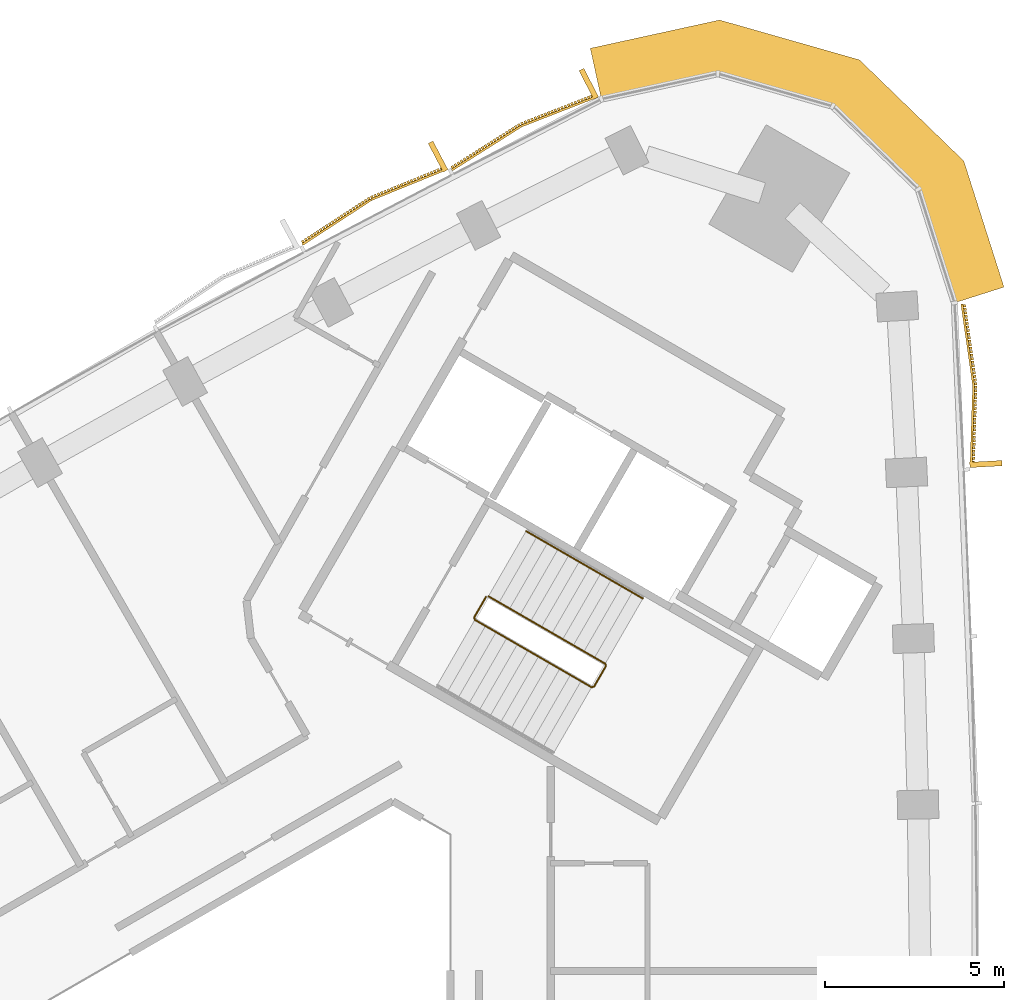
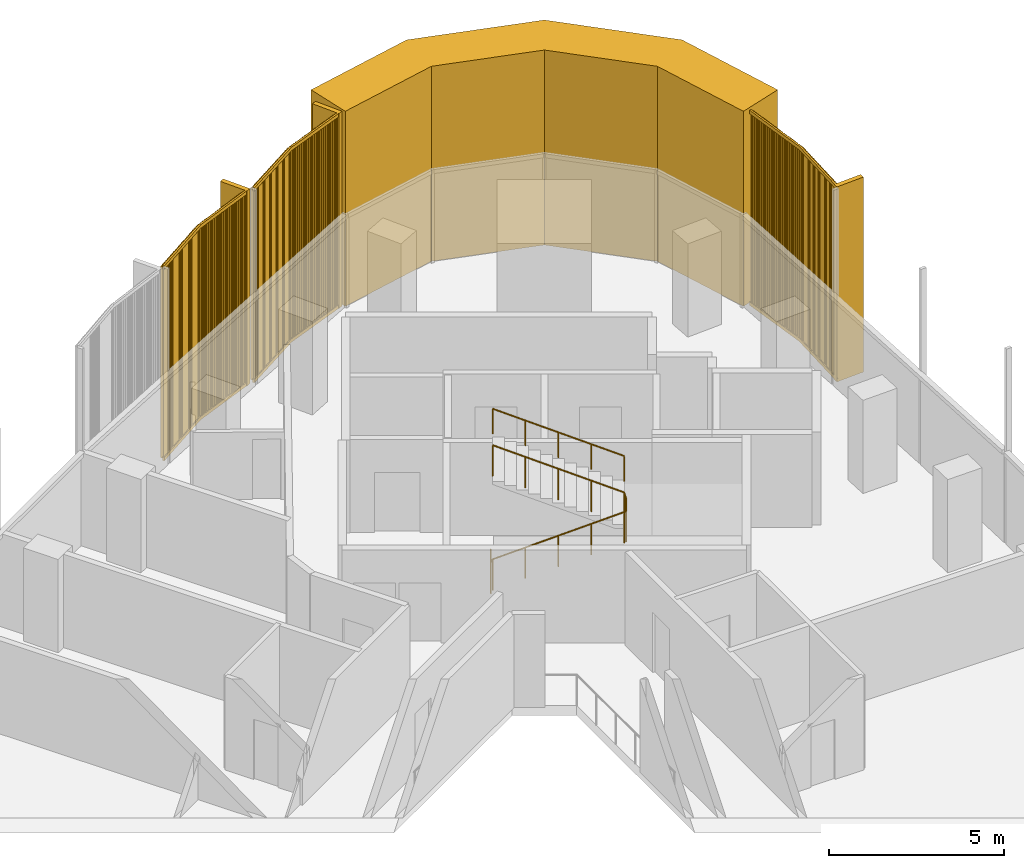
# One storey, part 13 of 13: 4 coverings, 2 railings.
"""IFC4 building model written with IfcOpenShell, lengths in metres."""

from ifc_helpers import new_model, si_unit, direction, frame, frame_2d, origin, origin_2d, place, context, subcontext, project, spatial, polyline, rectangle, circle, outline, extrude, source, transform, mapped, material, layer, layer_set, type_object, element, save


model = new_model("IFC4")

# Units and contexts
model_context = context("Model", 3, precision=1e-05, world=origin(), true_north=direction((0.0, 1.0)))
body_context = subcontext(model_context, "Body", "Model", "MODEL_VIEW")
ifc_project = project(units=[si_unit("LENGTHUNIT", "METRE"), si_unit("AREAUNIT", "SQUARE_METRE"), si_unit("VOLUMEUNIT", "CUBIC_METRE"), si_unit("PLANEANGLEUNIT", "RADIAN"), si_unit("MASSUNIT", "GRAM", prefix="KILO")], contexts=[model_context])

# Site, building, storey
site_placement = place(None, origin())
site = spatial("IfcSite", under=ifc_project, at=site_placement, CompositionType="ELEMENT")
building_placement = place(site_placement, origin())
building = spatial("IfcBuilding", under=site, at=building_placement, Name="Tamra Quay Hotel Tower", CompositionType="ELEMENT")
storey_placement = place(building_placement, frame((0.0, 0.0, 204.39990234375)))
storey = spatial("IfcBuildingStorey", under=building, at=storey_placement, Name="L51", CompositionType="ELEMENT", Elevation=204.39990234375)

# Covering
ifc_material_1 = material(Name="Precast concrete M60 terracotta-coloured", Category="masonry")
ifc_layer = layer(ifc_material_1, 1.449951171875)
ifc_layer_set = layer_set([ifc_layer], Name="CORNER PIER PANEL")
covering_type_1 = type_object("IfcCoveringType", Name="CORNER PIER PANEL", PredefinedType="CLADDING", material=ifc_layer_set)
covering_1_placement = place(storey_placement, origin())
element("IfcCovering", 1, at=covering_1_placement, inside=storey, type_object=covering_type_1, Name="Corner pier L51.east", PredefinedType="CLADDING", context=body_context, shape_type="SweptSolid", body=[
    extrude(outline(polyline([(18.665283203125, 20.955078125), (20.047119140625, 21.39501953125), (18.9267578125, 24.913330078125), (16.013916015625, 27.737060546875), (12.1123046875, 28.84765625), (8.505126953125, 28.058837890625), (8.81494140625, 26.642333984375), (12.06591796875, 27.353271484375), (15.2666015625, 26.4423828125), (17.65576171875, 24.1259765625), (18.665283203125, 20.955078125)])), origin(), (0.0, 0.0, 1.0), 6.800048828125),
])

# Railings
ifc_material_2 = material(Name="Stair guard 1100")
railing_type_1 = type_object("IfcRailingType", Name="Stair guard 1100", PredefinedType="GUARDRAIL", material=ifc_material_2)
railing_1_placement = place(storey_placement, frame((5.595458984375, 12.751953125, 0.0)))
element("IfcRailing", 2, at=railing_1_placement, inside=storey, type_object=railing_type_1, Name="GR", PredefinedType="GUARDRAIL", context=body_context, shape_type="SweptSolid", body=[
    extrude(circle(Radius=0.02392578125, at=origin_2d()), frame((0.0, 0.0, 1.076171875), z_axis=(-0.499765215335, -0.866160914346, 0.0), x_axis=(0.866160914346, -0.499765215335, 0.0)), (0.0, 0.0, 1.0), 0.658935546875),
    extrude(circle(Radius=0.02392578125, at=origin_2d()), frame((-0.329345703125, -0.57080078125, 1.076171875), z_axis=(0.110378772244, -0.410609032747, 0.905105932399), x_axis=(0.965715946433, 0.259601060869, 0.0)), (0.0, 0.0, 1.0), 0.165771484375),
    extrude(circle(Radius=0.02392578125, at=origin_2d()), frame((-0.31103515625, -0.638916015625, 1.22607421875), z_axis=(0.793078462799, -0.457933869594, 0.401650498471), x_axis=(0.500040788363, 0.866001853331, 0.0)), (0.0, 0.0, 1.0), 4.10791015625),
    extrude(circle(Radius=0.02392578125, at=origin_2d()), frame((2.94677734375, -2.52001953125, 2.8759765625), z_axis=(0.965948051503, 0.258736085224, 0.0), x_axis=(-0.258736085224, 0.965948051503, 0.0)), (0.0, 0.0, 1.0), 0.07080078125),
    extrude(circle(Radius=0.02392578125, at=origin_2d()), frame((3.01513671875, -2.501708984375, 2.8759765625), z_axis=(0.500043078269, 0.866000531106, 0.0), x_axis=(-0.866000531106, 0.500043078269, 0.0)), (0.0, 0.0, 1.0), 0.6591796875),
    extrude(circle(Radius=0.02392578125, at=origin_2d()), frame((3.3447265625, -1.930908203125, 2.8759765625), z_axis=(-0.110378772244, 0.410609032747, 0.905105932399), x_axis=(-0.965715946433, -0.259601060869, 0.0)), (0.0, 0.0, 1.0), 0.165771484375),
    extrude(circle(Radius=0.02392578125, at=origin_2d()), frame((3.326416015625, -1.86279296875, 3.0263671875), z_axis=(-0.793100512587, 0.457912285461, 0.401631567183), x_axis=(-0.500012686397, -0.866018079166, 0.0)), (0.0, 0.0, 1.0), 4.10791015625),
    extrude(circle(Radius=0.02099609375, at=origin_2d()), origin(), (0.0, 0.0, 1.0), 1.052001953125),
    extrude(circle(Radius=0.02099609375, at=origin_2d()), frame((-0.329345703125, -0.57080078125, 0.0)), (0.0, 0.0, 1.0), 1.052001953125),
    extrude(circle(Radius=0.02099609375, at=origin_2d()), frame((-0.31103515625, -0.638916015625, 0.150146484375)), (0.0, 0.0, 1.0), 1.052001953125),
    extrude(circle(Radius=0.02099609375, at=origin_2d()), frame((0.50341796875, -1.109130859375, 0.5625)), (0.0, 0.0, 1.0), 1.052001953125),
    extrude(circle(Radius=0.02099609375, at=origin_2d()), frame((1.31787109375, -1.57958984375, 0.97509765625)), (0.0, 0.0, 1.0), 1.052001953125),
    extrude(circle(Radius=0.02099609375, at=origin_2d()), frame((2.13232421875, -2.0498046875, 1.3876953125)), (0.0, 0.0, 1.0), 1.052001953125),
    extrude(circle(Radius=0.02099609375, at=origin_2d()), frame((2.94677734375, -2.52001953125, 1.800048828125)), (0.0, 0.0, 1.0), 1.052001953125),
    extrude(circle(Radius=0.02099609375, at=origin_2d()), frame((3.01513671875, -2.501708984375, 1.800048828125)), (0.0, 0.0, 1.0), 1.052001953125),
    extrude(circle(Radius=0.02099609375, at=origin_2d()), frame((3.3447265625, -1.930908203125, 1.800048828125)), (0.0, 0.0, 1.0), 1.052001953125),
    extrude(circle(Radius=0.02099609375, at=origin_2d()), frame((3.326416015625, -1.86279296875, 1.9501953125)), (0.0, 0.0, 1.0), 1.052001953125),
    extrude(circle(Radius=0.02099609375, at=origin_2d()), frame((2.511962890625, -1.392578125, 2.36279296875)), (0.0, 0.0, 1.0), 1.052001953125),
    extrude(circle(Radius=0.02099609375, at=origin_2d()), frame((1.697265625, -0.92236328125, 2.775146484375)), (0.0, 0.0, 1.0), 1.052001953125),
    extrude(circle(Radius=0.02099609375, at=origin_2d()), frame((0.8828125, -0.451904296875, 3.1875)), (0.0, 0.0, 1.0), 1.052001953125),
    extrude(circle(Radius=0.02099609375, at=origin_2d()), frame((0.068359375, 0.018310546875, 3.60009765625)), (0.0, 0.0, 1.0), 1.052001953125),
])
ifc_material_3 = material(Name="Stair handrail 900")
railing_type_2 = type_object("IfcRailingType", Name="Stair handrail 900", PredefinedType="HANDRAIL", material=ifc_material_3)
railing_2_placement = place(storey_placement, frame((9.971923828125, 12.7080078125, 1.9501953125)))
element("IfcRailing", 3, at=railing_2_placement, inside=storey, type_object=railing_type_2, Name="HR", PredefinedType="HANDRAIL", context=body_context, shape_type="SweptSolid", body=[
    extrude(circle(Radius=0.02392578125, at=origin_2d()), frame((0.0, 0.0, 0.8759765625), z_axis=(-0.793122095483, 0.45786531462, 0.401642496911), x_axis=(-0.499964013922, -0.86604617936, 0.0)), (0.0, 0.0, 1.0), 4.10791015625),
    extrude(circle(Radius=0.02099609375, at=origin_2d()), origin(), (0.0, 0.0, 1.0), 0.851806640625),
    extrude(circle(Radius=0.02099609375, at=origin_2d()), frame((-0.814453125, 0.47021484375, 0.41259765625)), (0.0, 0.0, 1.0), 0.851806640625),
    extrude(circle(Radius=0.02099609375, at=origin_2d()), frame((-1.62890625, 0.9404296875, 0.824951171875)), (0.0, 0.0, 1.0), 0.851806640625),
    extrude(circle(Radius=0.02099609375, at=origin_2d()), frame((-2.443603515625, 1.41064453125, 1.2373046875)), (0.0, 0.0, 1.0), 0.851806640625),
    extrude(circle(Radius=0.02099609375, at=origin_2d()), frame((-3.258056640625, 1.880859375, 1.64990234375)), (0.0, 0.0, 1.0), 0.851806640625),
])

# Coverings
ifc_material_4 = material(Name="Terracotta baguette extruded", Category="masonry")
covering_type_2 = type_object("IfcCoveringType", Name="BAGUETTE SCREEN E-V H6800", PredefinedType="USERDEFINED", material=ifc_material_4)
shared_shape_1 = source(origin(), body_context, "Body", "SweptSolid", [
    extrude(rectangle(XDim=2.291259765625, YDim=0.06005859375, at=frame_2d((1.1455078125, 0.030029296875))), frame((-2.287841796875, -0.057861328125, -0.1201171875), z_axis=(0.0, 0.0, 1.0), x_axis=(0.996194698092, -0.087155742748, 0.0)), (0.0, 0.0, 1.0), 0.1201171875),
    extrude(rectangle(XDim=2.291259765625, YDim=0.06005859375, at=frame_2d((1.1455078125, 0.030029296875))), frame((-2.287841796875, -0.057861328125, -6.800048828125), z_axis=(0.0, 0.0, 1.0), x_axis=(0.996194698092, -0.087155742748, 0.0)), (0.0, 0.0, 1.0), 0.1201171875),
    extrude(rectangle(XDim=0.070068359375, YDim=0.10009765625, at=frame_2d((0.03515625, 0.050048828125))), frame((-2.267822265625, -0.13232421875, -6.739990234375)), (0.0, 0.0, 1.0), 6.679931640625),
    extrude(rectangle(XDim=0.070068359375, YDim=0.10009765625, at=frame_2d((0.03515625, 0.050048828125))), frame((-2.168701171875, -0.14111328125, -6.739990234375)), (0.0, 0.0, 1.0), 6.679931640625),
    extrude(rectangle(XDim=0.070068359375, YDim=0.10009765625, at=frame_2d((0.03515625, 0.050048828125))), frame((-2.0693359375, -0.149658203125, -6.739990234375)), (0.0, 0.0, 1.0), 6.679931640625),
    extrude(rectangle(XDim=0.070068359375, YDim=0.10009765625, at=frame_2d((0.03515625, 0.050048828125))), frame((-1.97021484375, -0.158447265625, -6.739990234375)), (0.0, 0.0, 1.0), 6.679931640625),
    extrude(rectangle(XDim=0.070068359375, YDim=0.10009765625, at=frame_2d((0.03515625, 0.050048828125))), frame((-1.870849609375, -0.1669921875, -6.739990234375)), (0.0, 0.0, 1.0), 6.679931640625),
    extrude(rectangle(XDim=0.070068359375, YDim=0.10009765625, at=frame_2d((0.03515625, 0.050048828125))), frame((-1.771728515625, -0.17578125, -6.739990234375)), (0.0, 0.0, 1.0), 6.679931640625),
    extrude(rectangle(XDim=0.070068359375, YDim=0.10009765625, at=frame_2d((0.03515625, 0.050048828125))), frame((-1.67236328125, -0.184326171875, -6.739990234375)), (0.0, 0.0, 1.0), 6.679931640625),
    extrude(rectangle(XDim=0.070068359375, YDim=0.10009765625, at=frame_2d((0.03515625, 0.050048828125))), frame((-1.5732421875, -0.193115234375, -6.739990234375)), (0.0, 0.0, 1.0), 6.679931640625),
    extrude(rectangle(XDim=0.070068359375, YDim=0.10009765625, at=frame_2d((0.03515625, 0.050048828125))), frame((-1.473876953125, -0.201904296875, -6.739990234375)), (0.0, 0.0, 1.0), 6.679931640625),
    extrude(rectangle(XDim=0.070068359375, YDim=0.10009765625, at=frame_2d((0.03515625, 0.050048828125))), frame((-1.374755859375, -0.21044921875, -6.739990234375)), (0.0, 0.0, 1.0), 6.679931640625),
    extrude(rectangle(XDim=0.070068359375, YDim=0.10009765625, at=frame_2d((0.03515625, 0.050048828125))), frame((-1.275390625, -0.21923828125, -6.739990234375)), (0.0, 0.0, 1.0), 6.679931640625),
    extrude(rectangle(XDim=0.070068359375, YDim=0.10009765625, at=frame_2d((0.03515625, 0.050048828125))), frame((-1.17626953125, -0.227783203125, -6.739990234375)), (0.0, 0.0, 1.0), 6.679931640625),
    extrude(rectangle(XDim=0.070068359375, YDim=0.10009765625, at=frame_2d((0.03515625, 0.050048828125))), frame((-1.076904296875, -0.236572265625, -6.739990234375)), (0.0, 0.0, 1.0), 6.679931640625),
    extrude(rectangle(XDim=0.070068359375, YDim=0.10009765625, at=frame_2d((0.03515625, 0.050048828125))), frame((-0.977783203125, -0.2451171875, -6.739990234375)), (0.0, 0.0, 1.0), 6.679931640625),
    extrude(rectangle(XDim=0.070068359375, YDim=0.10009765625, at=frame_2d((0.03515625, 0.050048828125))), frame((-0.87841796875, -0.25390625, -6.739990234375)), (0.0, 0.0, 1.0), 6.679931640625),
    extrude(rectangle(XDim=0.070068359375, YDim=0.10009765625, at=frame_2d((0.03515625, 0.050048828125))), frame((-0.779296875, -0.2626953125, -6.739990234375)), (0.0, 0.0, 1.0), 6.679931640625),
    extrude(rectangle(XDim=0.070068359375, YDim=0.10009765625, at=frame_2d((0.03515625, 0.050048828125))), frame((-0.679931640625, -0.271240234375, -6.739990234375)), (0.0, 0.0, 1.0), 6.679931640625),
    extrude(rectangle(XDim=0.070068359375, YDim=0.10009765625, at=frame_2d((0.03515625, 0.050048828125))), frame((-0.580810546875, -0.280029296875, -6.739990234375)), (0.0, 0.0, 1.0), 6.679931640625),
    extrude(rectangle(XDim=0.070068359375, YDim=0.10009765625, at=frame_2d((0.03515625, 0.050048828125))), frame((-0.481689453125, -0.28857421875, -6.739990234375)), (0.0, 0.0, 1.0), 6.679931640625),
    extrude(rectangle(XDim=0.070068359375, YDim=0.10009765625, at=frame_2d((0.03515625, 0.050048828125))), frame((-0.38232421875, -0.29736328125, -6.739990234375)), (0.0, 0.0, 1.0), 6.679931640625),
    extrude(rectangle(XDim=0.070068359375, YDim=0.10009765625, at=frame_2d((0.03515625, 0.050048828125))), frame((-0.283203125, -0.305908203125, -6.739990234375)), (0.0, 0.0, 1.0), 6.679931640625),
    extrude(rectangle(XDim=0.070068359375, YDim=0.10009765625, at=frame_2d((0.03515625, 0.050048828125))), frame((-0.183837890625, -0.314697265625, -6.739990234375)), (0.0, 0.0, 1.0), 6.679931640625),
    extrude(rectangle(XDim=0.070068359375, YDim=0.10009765625, at=frame_2d((0.03515625, 0.050048828125))), frame((-0.084716796875, -0.3232421875, -6.739990234375)), (0.0, 0.0, 1.0), 6.679931640625),
    extrude(rectangle(XDim=2.291259765625, YDim=0.06005859375, at=frame_2d((1.1455078125, 0.030029296875))), frame((0.005126953125, -0.257568359375, -0.1201171875), z_axis=(0.0, 0.0, 1.0), x_axis=(0.996194698092, 0.087155742748, 0.0)), (0.0, 0.0, 1.0), 0.1201171875),
    extrude(rectangle(XDim=2.291259765625, YDim=0.06005859375, at=frame_2d((1.1455078125, 0.030029296875))), frame((0.005126953125, -0.257568359375, -6.800048828125), z_axis=(0.0, 0.0, 1.0), x_axis=(0.996194698092, 0.087155742748, 0.0)), (0.0, 0.0, 1.0), 0.1201171875),
    extrude(rectangle(XDim=0.070068359375, YDim=0.10009765625, at=frame_2d((0.03515625, 0.050048828125))), frame((0.0146484375, -0.3232421875, -6.739990234375)), (0.0, 0.0, 1.0), 6.679931640625),
    extrude(rectangle(XDim=0.070068359375, YDim=0.10009765625, at=frame_2d((0.03515625, 0.050048828125))), frame((0.11376953125, -0.314697265625, -6.739990234375)), (0.0, 0.0, 1.0), 6.679931640625),
    extrude(rectangle(XDim=0.070068359375, YDim=0.10009765625, at=frame_2d((0.03515625, 0.050048828125))), frame((0.213134765625, -0.305908203125, -6.739990234375)), (0.0, 0.0, 1.0), 6.679931640625),
    extrude(rectangle(XDim=0.070068359375, YDim=0.10009765625, at=frame_2d((0.03515625, 0.050048828125))), frame((0.312255859375, -0.29736328125, -6.739990234375)), (0.0, 0.0, 1.0), 6.679931640625),
    extrude(rectangle(XDim=0.070068359375, YDim=0.10009765625, at=frame_2d((0.03515625, 0.050048828125))), frame((0.41162109375, -0.28857421875, -6.739990234375)), (0.0, 0.0, 1.0), 6.679931640625),
    extrude(rectangle(XDim=0.070068359375, YDim=0.10009765625, at=frame_2d((0.03515625, 0.050048828125))), frame((0.5107421875, -0.280029296875, -6.739990234375)), (0.0, 0.0, 1.0), 6.679931640625),
    extrude(rectangle(XDim=0.070068359375, YDim=0.10009765625, at=frame_2d((0.03515625, 0.050048828125))), frame((0.610107421875, -0.271240234375, -6.739990234375)), (0.0, 0.0, 1.0), 6.679931640625),
    extrude(rectangle(XDim=0.070068359375, YDim=0.10009765625, at=frame_2d((0.03515625, 0.050048828125))), frame((0.709228515625, -0.2626953125, -6.739990234375)), (0.0, 0.0, 1.0), 6.679931640625),
    extrude(rectangle(XDim=0.070068359375, YDim=0.10009765625, at=frame_2d((0.03515625, 0.050048828125))), frame((0.80859375, -0.25390625, -6.739990234375)), (0.0, 0.0, 1.0), 6.679931640625),
    extrude(rectangle(XDim=0.070068359375, YDim=0.10009765625, at=frame_2d((0.03515625, 0.050048828125))), frame((0.90771484375, -0.2451171875, -6.739990234375)), (0.0, 0.0, 1.0), 6.679931640625),
    extrude(rectangle(XDim=0.070068359375, YDim=0.10009765625, at=frame_2d((0.03515625, 0.050048828125))), frame((1.007080078125, -0.236572265625, -6.739990234375)), (0.0, 0.0, 1.0), 6.679931640625),
    extrude(rectangle(XDim=0.070068359375, YDim=0.10009765625, at=frame_2d((0.03515625, 0.050048828125))), frame((1.106201171875, -0.227783203125, -6.739990234375)), (0.0, 0.0, 1.0), 6.679931640625),
    extrude(rectangle(XDim=0.070068359375, YDim=0.10009765625, at=frame_2d((0.03515625, 0.050048828125))), frame((1.20556640625, -0.21923828125, -6.739990234375)), (0.0, 0.0, 1.0), 6.679931640625),
    extrude(rectangle(XDim=0.070068359375, YDim=0.10009765625, at=frame_2d((0.03515625, 0.050048828125))), frame((1.3046875, -0.21044921875, -6.739990234375)), (0.0, 0.0, 1.0), 6.679931640625),
    extrude(rectangle(XDim=0.070068359375, YDim=0.10009765625, at=frame_2d((0.03515625, 0.050048828125))), frame((1.404052734375, -0.201904296875, -6.739990234375)), (0.0, 0.0, 1.0), 6.679931640625),
    extrude(rectangle(XDim=0.070068359375, YDim=0.10009765625, at=frame_2d((0.03515625, 0.050048828125))), frame((1.503173828125, -0.193115234375, -6.739990234375)), (0.0, 0.0, 1.0), 6.679931640625),
    extrude(rectangle(XDim=0.070068359375, YDim=0.10009765625, at=frame_2d((0.03515625, 0.050048828125))), frame((1.6025390625, -0.184326171875, -6.739990234375)), (0.0, 0.0, 1.0), 6.679931640625),
    extrude(rectangle(XDim=0.070068359375, YDim=0.10009765625, at=frame_2d((0.03515625, 0.050048828125))), frame((1.70166015625, -0.17578125, -6.739990234375)), (0.0, 0.0, 1.0), 6.679931640625),
    extrude(rectangle(XDim=0.070068359375, YDim=0.10009765625, at=frame_2d((0.03515625, 0.050048828125))), frame((1.801025390625, -0.1669921875, -6.739990234375)), (0.0, 0.0, 1.0), 6.679931640625),
    extrude(rectangle(XDim=0.070068359375, YDim=0.10009765625, at=frame_2d((0.03515625, 0.050048828125))), frame((1.900146484375, -0.158447265625, -6.739990234375)), (0.0, 0.0, 1.0), 6.679931640625),
    extrude(rectangle(XDim=0.070068359375, YDim=0.10009765625, at=frame_2d((0.03515625, 0.050048828125))), frame((1.99951171875, -0.149658203125, -6.739990234375)), (0.0, 0.0, 1.0), 6.679931640625),
    extrude(rectangle(XDim=0.070068359375, YDim=0.10009765625, at=frame_2d((0.03515625, 0.050048828125))), frame((2.0986328125, -0.14111328125, -6.739990234375)), (0.0, 0.0, 1.0), 6.679931640625),
    extrude(rectangle(XDim=0.070068359375, YDim=0.10009765625, at=frame_2d((0.03515625, 0.050048828125))), frame((2.197998046875, -0.13232421875, -6.739990234375)), (0.0, 0.0, 1.0), 6.679931640625),
    extrude(rectangle(XDim=0.14990234375, YDim=0.902099609375, at=frame_2d((0.074951171875, 0.451171875))), frame((-2.282470703125, -0.89990234375, -6.800048828125)), (0.0, 0.0, 1.0), 6.800048828125),
])
covering_2_placement = place(storey_placement, frame((18.97216796875, 18.638916015625, 6.800048828125), z_axis=(0.0, 0.0, 1.0), x_axis=(-0.055416978175, 0.998463298539, 0.0)))
element("IfcCovering", 4, at=covering_2_placement, inside=storey, type_object=covering_type_2, Name="Baguette screen L51.E.f08", ObjectType="BAGUETTE SCREEN", PredefinedType="USERDEFINED", context=body_context, shape_type="MappedRepresentation", body=[
    mapped(shared_shape_1, transform((0.0, 0.0, 0.0), scale=1.0)),
])
covering_type_3 = type_object("IfcCoveringType", Name="BAGUETTE SCREEN NW-V H6800", PredefinedType="USERDEFINED", material=ifc_material_4)
shared_shape_2 = source(origin(), body_context, "Body", "SweptSolid", [
    extrude(rectangle(XDim=2.29296875, YDim=0.06005859375, at=frame_2d((1.146484375, 0.030029296875))), frame((-2.288330078125, -0.0576171875, -0.1201171875), z_axis=(0.0, 0.0, 1.0), x_axis=(0.995396198367, -0.09584575252, 0.0)), (0.0, 0.0, 1.0), 0.1201171875),
    extrude(rectangle(XDim=2.29296875, YDim=0.06005859375, at=frame_2d((1.146484375, 0.030029296875))), frame((-2.288330078125, -0.0576171875, -6.800048828125), z_axis=(0.0, 0.0, 1.0), x_axis=(0.995396198367, -0.09584575252, 0.0)), (0.0, 0.0, 1.0), 0.1201171875),
    extrude(rectangle(XDim=0.070068359375, YDim=0.10009765625, at=frame_2d((0.03515625, 0.050048828125))), frame((-2.267822265625, -0.1328125, -6.739990234375)), (0.0, 0.0, 1.0), 6.679931640625),
    extrude(rectangle(XDim=0.070068359375, YDim=0.10009765625, at=frame_2d((0.03515625, 0.050048828125))), frame((-2.168701171875, -0.142333984375, -6.739990234375)), (0.0, 0.0, 1.0), 6.679931640625),
    extrude(rectangle(XDim=0.070068359375, YDim=0.10009765625, at=frame_2d((0.03515625, 0.050048828125))), frame((-2.0693359375, -0.15185546875, -6.739990234375)), (0.0, 0.0, 1.0), 6.679931640625),
    extrude(rectangle(XDim=0.070068359375, YDim=0.10009765625, at=frame_2d((0.03515625, 0.050048828125))), frame((-1.97021484375, -0.161376953125, -6.739990234375)), (0.0, 0.0, 1.0), 6.679931640625),
    extrude(rectangle(XDim=0.070068359375, YDim=0.10009765625, at=frame_2d((0.03515625, 0.050048828125))), frame((-1.870849609375, -0.1708984375, -6.739990234375)), (0.0, 0.0, 1.0), 6.679931640625),
    extrude(rectangle(XDim=0.070068359375, YDim=0.10009765625, at=frame_2d((0.03515625, 0.050048828125))), frame((-1.771728515625, -0.1806640625, -6.739990234375)), (0.0, 0.0, 1.0), 6.679931640625),
    extrude(rectangle(XDim=0.070068359375, YDim=0.10009765625, at=frame_2d((0.03515625, 0.050048828125))), frame((-1.67236328125, -0.190185546875, -6.739990234375)), (0.0, 0.0, 1.0), 6.679931640625),
    extrude(rectangle(XDim=0.070068359375, YDim=0.10009765625, at=frame_2d((0.03515625, 0.050048828125))), frame((-1.5732421875, -0.19970703125, -6.739990234375)), (0.0, 0.0, 1.0), 6.679931640625),
    extrude(rectangle(XDim=0.070068359375, YDim=0.10009765625, at=frame_2d((0.03515625, 0.050048828125))), frame((-1.473876953125, -0.209228515625, -6.739990234375)), (0.0, 0.0, 1.0), 6.679931640625),
    extrude(rectangle(XDim=0.070068359375, YDim=0.10009765625, at=frame_2d((0.03515625, 0.050048828125))), frame((-1.374755859375, -0.21875, -6.739990234375)), (0.0, 0.0, 1.0), 6.679931640625),
    extrude(rectangle(XDim=0.070068359375, YDim=0.10009765625, at=frame_2d((0.03515625, 0.050048828125))), frame((-1.275390625, -0.228271484375, -6.739990234375)), (0.0, 0.0, 1.0), 6.679931640625),
    extrude(rectangle(XDim=0.070068359375, YDim=0.10009765625, at=frame_2d((0.03515625, 0.050048828125))), frame((-1.17626953125, -0.23779296875, -6.739990234375)), (0.0, 0.0, 1.0), 6.679931640625),
    extrude(rectangle(XDim=0.070068359375, YDim=0.10009765625, at=frame_2d((0.03515625, 0.050048828125))), frame((-1.076904296875, -0.24755859375, -6.739990234375)), (0.0, 0.0, 1.0), 6.679931640625),
    extrude(rectangle(XDim=0.070068359375, YDim=0.10009765625, at=frame_2d((0.03515625, 0.050048828125))), frame((-0.977783203125, -0.257080078125, -6.739990234375)), (0.0, 0.0, 1.0), 6.679931640625),
    extrude(rectangle(XDim=0.070068359375, YDim=0.10009765625, at=frame_2d((0.03515625, 0.050048828125))), frame((-0.87841796875, -0.2666015625, -6.739990234375)), (0.0, 0.0, 1.0), 6.679931640625),
    extrude(rectangle(XDim=0.070068359375, YDim=0.10009765625, at=frame_2d((0.03515625, 0.050048828125))), frame((-0.779296875, -0.276123046875, -6.739990234375)), (0.0, 0.0, 1.0), 6.679931640625),
    extrude(rectangle(XDim=0.070068359375, YDim=0.10009765625, at=frame_2d((0.03515625, 0.050048828125))), frame((-0.679931640625, -0.28564453125, -6.739990234375)), (0.0, 0.0, 1.0), 6.679931640625),
    extrude(rectangle(XDim=0.070068359375, YDim=0.10009765625, at=frame_2d((0.03515625, 0.050048828125))), frame((-0.580810546875, -0.295166015625, -6.739990234375)), (0.0, 0.0, 1.0), 6.679931640625),
    extrude(rectangle(XDim=0.070068359375, YDim=0.10009765625, at=frame_2d((0.03515625, 0.050048828125))), frame((-0.481689453125, -0.3046875, -6.739990234375)), (0.0, 0.0, 1.0), 6.679931640625),
    extrude(rectangle(XDim=0.070068359375, YDim=0.10009765625, at=frame_2d((0.03515625, 0.050048828125))), frame((-0.38232421875, -0.314453125, -6.739990234375)), (0.0, 0.0, 1.0), 6.679931640625),
    extrude(rectangle(XDim=0.070068359375, YDim=0.10009765625, at=frame_2d((0.03515625, 0.050048828125))), frame((-0.283203125, -0.323974609375, -6.739990234375)), (0.0, 0.0, 1.0), 6.679931640625),
    extrude(rectangle(XDim=0.070068359375, YDim=0.10009765625, at=frame_2d((0.03515625, 0.050048828125))), frame((-0.183837890625, -0.33349609375, -6.739990234375)), (0.0, 0.0, 1.0), 6.679931640625),
    extrude(rectangle(XDim=0.070068359375, YDim=0.10009765625, at=frame_2d((0.03515625, 0.050048828125))), frame((-0.084716796875, -0.343017578125, -6.739990234375)), (0.0, 0.0, 1.0), 6.679931640625),
    extrude(rectangle(XDim=2.29296875, YDim=0.06005859375, at=frame_2d((1.146484375, 0.030029296875))), frame((0.005859375, -0.277587890625, -0.1201171875), z_axis=(0.0, 0.0, 1.0), x_axis=(0.995396198367, 0.09584575252, 0.0)), (0.0, 0.0, 1.0), 0.1201171875),
    extrude(rectangle(XDim=2.29296875, YDim=0.06005859375, at=frame_2d((1.146484375, 0.030029296875))), frame((0.005859375, -0.277587890625, -6.800048828125), z_axis=(0.0, 0.0, 1.0), x_axis=(0.995396198367, 0.09584575252, 0.0)), (0.0, 0.0, 1.0), 0.1201171875),
    extrude(rectangle(XDim=0.070068359375, YDim=0.10009765625, at=frame_2d((0.03515625, 0.050048828125))), frame((0.0146484375, -0.343017578125, -6.739990234375)), (0.0, 0.0, 1.0), 6.679931640625),
    extrude(rectangle(XDim=0.070068359375, YDim=0.10009765625, at=frame_2d((0.03515625, 0.050048828125))), frame((0.11376953125, -0.33349609375, -6.739990234375)), (0.0, 0.0, 1.0), 6.679931640625),
    extrude(rectangle(XDim=0.070068359375, YDim=0.10009765625, at=frame_2d((0.03515625, 0.050048828125))), frame((0.213134765625, -0.323974609375, -6.739990234375)), (0.0, 0.0, 1.0), 6.679931640625),
    extrude(rectangle(XDim=0.070068359375, YDim=0.10009765625, at=frame_2d((0.03515625, 0.050048828125))), frame((0.312255859375, -0.314453125, -6.739990234375)), (0.0, 0.0, 1.0), 6.679931640625),
    extrude(rectangle(XDim=0.070068359375, YDim=0.10009765625, at=frame_2d((0.03515625, 0.050048828125))), frame((0.41162109375, -0.3046875, -6.739990234375)), (0.0, 0.0, 1.0), 6.679931640625),
    extrude(rectangle(XDim=0.070068359375, YDim=0.10009765625, at=frame_2d((0.03515625, 0.050048828125))), frame((0.5107421875, -0.295166015625, -6.739990234375)), (0.0, 0.0, 1.0), 6.679931640625),
    extrude(rectangle(XDim=0.070068359375, YDim=0.10009765625, at=frame_2d((0.03515625, 0.050048828125))), frame((0.610107421875, -0.28564453125, -6.739990234375)), (0.0, 0.0, 1.0), 6.679931640625),
    extrude(rectangle(XDim=0.070068359375, YDim=0.10009765625, at=frame_2d((0.03515625, 0.050048828125))), frame((0.709228515625, -0.276123046875, -6.739990234375)), (0.0, 0.0, 1.0), 6.679931640625),
    extrude(rectangle(XDim=0.070068359375, YDim=0.10009765625, at=frame_2d((0.03515625, 0.050048828125))), frame((0.80859375, -0.2666015625, -6.739990234375)), (0.0, 0.0, 1.0), 6.679931640625),
    extrude(rectangle(XDim=0.070068359375, YDim=0.10009765625, at=frame_2d((0.03515625, 0.050048828125))), frame((0.90771484375, -0.257080078125, -6.739990234375)), (0.0, 0.0, 1.0), 6.679931640625),
    extrude(rectangle(XDim=0.070068359375, YDim=0.10009765625, at=frame_2d((0.03515625, 0.050048828125))), frame((1.007080078125, -0.24755859375, -6.739990234375)), (0.0, 0.0, 1.0), 6.679931640625),
    extrude(rectangle(XDim=0.070068359375, YDim=0.10009765625, at=frame_2d((0.03515625, 0.050048828125))), frame((1.106201171875, -0.23779296875, -6.739990234375)), (0.0, 0.0, 1.0), 6.679931640625),
    extrude(rectangle(XDim=0.070068359375, YDim=0.10009765625, at=frame_2d((0.03515625, 0.050048828125))), frame((1.20556640625, -0.228271484375, -6.739990234375)), (0.0, 0.0, 1.0), 6.679931640625),
    extrude(rectangle(XDim=0.070068359375, YDim=0.10009765625, at=frame_2d((0.03515625, 0.050048828125))), frame((1.3046875, -0.21875, -6.739990234375)), (0.0, 0.0, 1.0), 6.679931640625),
    extrude(rectangle(XDim=0.070068359375, YDim=0.10009765625, at=frame_2d((0.03515625, 0.050048828125))), frame((1.404052734375, -0.209228515625, -6.739990234375)), (0.0, 0.0, 1.0), 6.679931640625),
    extrude(rectangle(XDim=0.070068359375, YDim=0.10009765625, at=frame_2d((0.03515625, 0.050048828125))), frame((1.503173828125, -0.19970703125, -6.739990234375)), (0.0, 0.0, 1.0), 6.679931640625),
    extrude(rectangle(XDim=0.070068359375, YDim=0.10009765625, at=frame_2d((0.03515625, 0.050048828125))), frame((1.6025390625, -0.190185546875, -6.739990234375)), (0.0, 0.0, 1.0), 6.679931640625),
    extrude(rectangle(XDim=0.070068359375, YDim=0.10009765625, at=frame_2d((0.03515625, 0.050048828125))), frame((1.70166015625, -0.1806640625, -6.739990234375)), (0.0, 0.0, 1.0), 6.679931640625),
    extrude(rectangle(XDim=0.070068359375, YDim=0.10009765625, at=frame_2d((0.03515625, 0.050048828125))), frame((1.801025390625, -0.1708984375, -6.739990234375)), (0.0, 0.0, 1.0), 6.679931640625),
    extrude(rectangle(XDim=0.070068359375, YDim=0.10009765625, at=frame_2d((0.03515625, 0.050048828125))), frame((1.900146484375, -0.161376953125, -6.739990234375)), (0.0, 0.0, 1.0), 6.679931640625),
    extrude(rectangle(XDim=0.070068359375, YDim=0.10009765625, at=frame_2d((0.03515625, 0.050048828125))), frame((1.99951171875, -0.15185546875, -6.739990234375)), (0.0, 0.0, 1.0), 6.679931640625),
    extrude(rectangle(XDim=0.070068359375, YDim=0.10009765625, at=frame_2d((0.03515625, 0.050048828125))), frame((2.0986328125, -0.142333984375, -6.739990234375)), (0.0, 0.0, 1.0), 6.679931640625),
    extrude(rectangle(XDim=0.070068359375, YDim=0.10009765625, at=frame_2d((0.03515625, 0.050048828125))), frame((2.197998046875, -0.1328125, -6.739990234375)), (0.0, 0.0, 1.0), 6.679931640625),
    extrude(rectangle(XDim=0.14990234375, YDim=0.902099609375, at=frame_2d((0.074951171875, 0.451171875))), frame((-2.282470703125, -0.89990234375, -6.800048828125)), (0.0, 0.0, 1.0), 6.800048828125),
])
for number, where, z_axis, x_axis, name in (
    (5, (6.6962890625, 25.66943359375, 6.800048828125), (0.0, 0.0, 1.0), (-0.892403070369, -0.451239138369, 0.0), "Baguette screen L51.NW.f00"),
    (6, (2.509765625, 23.617431640625, 6.800048828125), (0.0, 0.0, 1.0), (-0.886075646342, -0.463540665918, 0.0), "Baguette screen L51.NW.f01"),
):
    element("IfcCovering", number, at=place(storey_placement, frame(where, z_axis=z_axis, x_axis=x_axis)), inside=storey, type_object=covering_type_3, Name=name, ObjectType="BAGUETTE SCREEN", PredefinedType="USERDEFINED", context=body_context, shape_type="MappedRepresentation", body=[
        mapped(shared_shape_2, transform((0.0, 0.0, 0.0), scale=1.0)),
    ])

save(model, "model.ifc")
